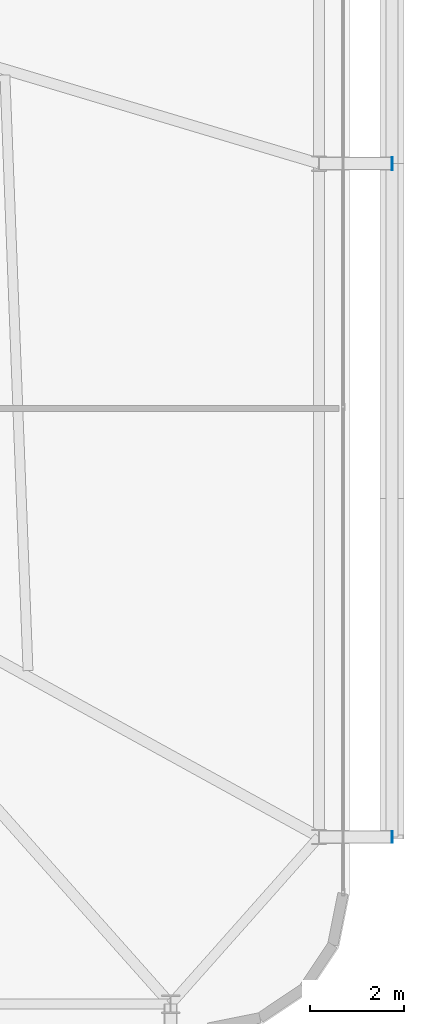
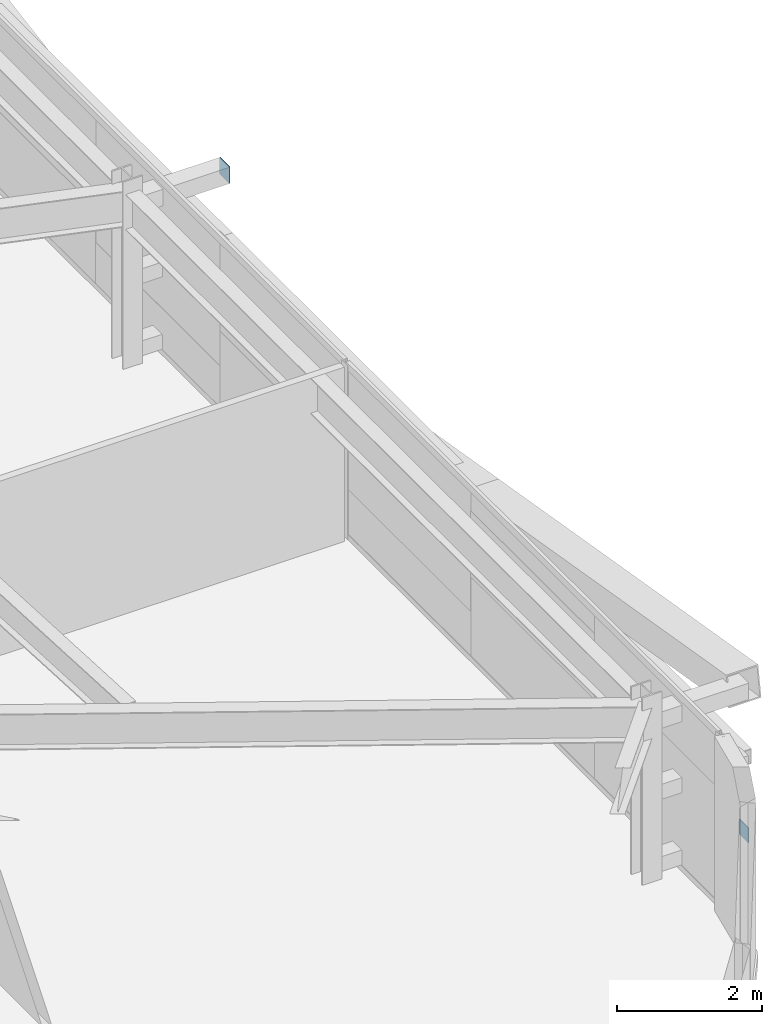
# One storey, part 35 of 44: 2 plates.
"""IFC4 building model written with IfcOpenShell, lengths in metres."""

from ifc_helpers import new_model, si_unit, direction, frame, origin, origin_2d, place, context, subcontext, project, spatial, rectangle, extrude, source, transform, mapped, material, layer, layer_set, type_object, element, save


model = new_model("IFC4")

# Units and contexts
model_context = context("Model", 3, precision=1e-05, world=origin(), true_north=direction((0.0, 1.0)))
body_context = subcontext(model_context, "Body", "Model", "MODEL_VIEW")
ifc_project = project(units=[si_unit("LENGTHUNIT", "METRE"), si_unit("AREAUNIT", "SQUARE_METRE"), si_unit("VOLUMEUNIT", "CUBIC_METRE"), si_unit("PLANEANGLEUNIT", "RADIAN"), si_unit("MASSUNIT", "GRAM", prefix="KILO")], contexts=[model_context])

# Site, building, storey
site_placement = place(None, origin())
site = spatial("IfcSite", under=ifc_project, at=site_placement, CompositionType="ELEMENT")
building_placement = place(site_placement, origin())
building = spatial("IfcBuilding", under=site, at=building_placement, Name="Taldren Reach Tower", CompositionType="ELEMENT")
storey_placement = place(building_placement, frame((0.0, 0.0, 38.85009765625)))
storey = spatial("IfcBuildingStorey", under=building, at=storey_placement, Name="L11", CompositionType="ELEMENT", Elevation=38.85009765625)

# Plates
ifc_material_1 = material(Name="Steel Gr 450 (C450L0)", Category="steel")
ifc_layer_1 = layer(ifc_material_1, 0.011962890625)
ifc_layer_set_1 = layer_set([ifc_layer_1], Name="Steel Gr 450 (C450L0)")
plate_type_1 = type_object("IfcPlateType", Name="PL-CAP-275", PredefinedType="SHEET", material=ifc_layer_set_1)
shared_shape_1 = source(origin(), body_context, "Body", "SweptSolid", [
    extrude(rectangle(XDim=0.011962890625, YDim=0.27490234375, at=origin_2d()), origin(), (0.0, 0.0, 1.0), 0.27490234375),
])
plate_1_placement = place(storey_placement, frame((65.906005859375, 20.0, 2.512451171875), z_axis=(0.0, 0.0, 1.0), x_axis=(1.0, 0.0, 0.0)))
element("IfcPlate", 1, at=plate_1_placement, inside=storey, type_object=plate_type_1, Name="Tie strut end cap plate B1-E2 L11", PredefinedType="SHEET", context=body_context, shape_type="MappedRepresentation", body=[
    mapped(shared_shape_1, transform((0.0, 0.0, 0.0), scale=1.0)),
])
ifc_material_2 = material(Name="Steel Gr 350 (C350L0)", Category="steel")
ifc_layer_2 = layer(ifc_material_2, 0.011962890625)
ifc_layer_set_2 = layer_set([ifc_layer_2], Name="Steel Gr 350 (C350L0)")
plate_type_2 = type_object("IfcPlateType", Name="PL-CAP-250", PredefinedType="SHEET", material=ifc_layer_set_2)
shared_shape_2 = source(origin(), body_context, "Body", "SweptSolid", [
    extrude(rectangle(XDim=0.011962890625, YDim=0.25, at=origin_2d()), origin(), (0.0, 0.0, 1.0), 0.25),
])
plate_2_placement = place(storey_placement, frame((65.906005859375, 5.699951171875, 0.094970703125), z_axis=(0.0, 0.0, 1.0), x_axis=(1.0, 0.0, 0.0)))
element("IfcPlate", 2, at=plate_2_placement, inside=storey, type_object=plate_type_2, Name="Tie strut end cap plate B1-E1 L11", PredefinedType="SHEET", context=body_context, shape_type="MappedRepresentation", body=[
    mapped(shared_shape_2, transform((0.0, 0.0, 0.0), scale=1.0)),
])

save(model, "model.ifc")
